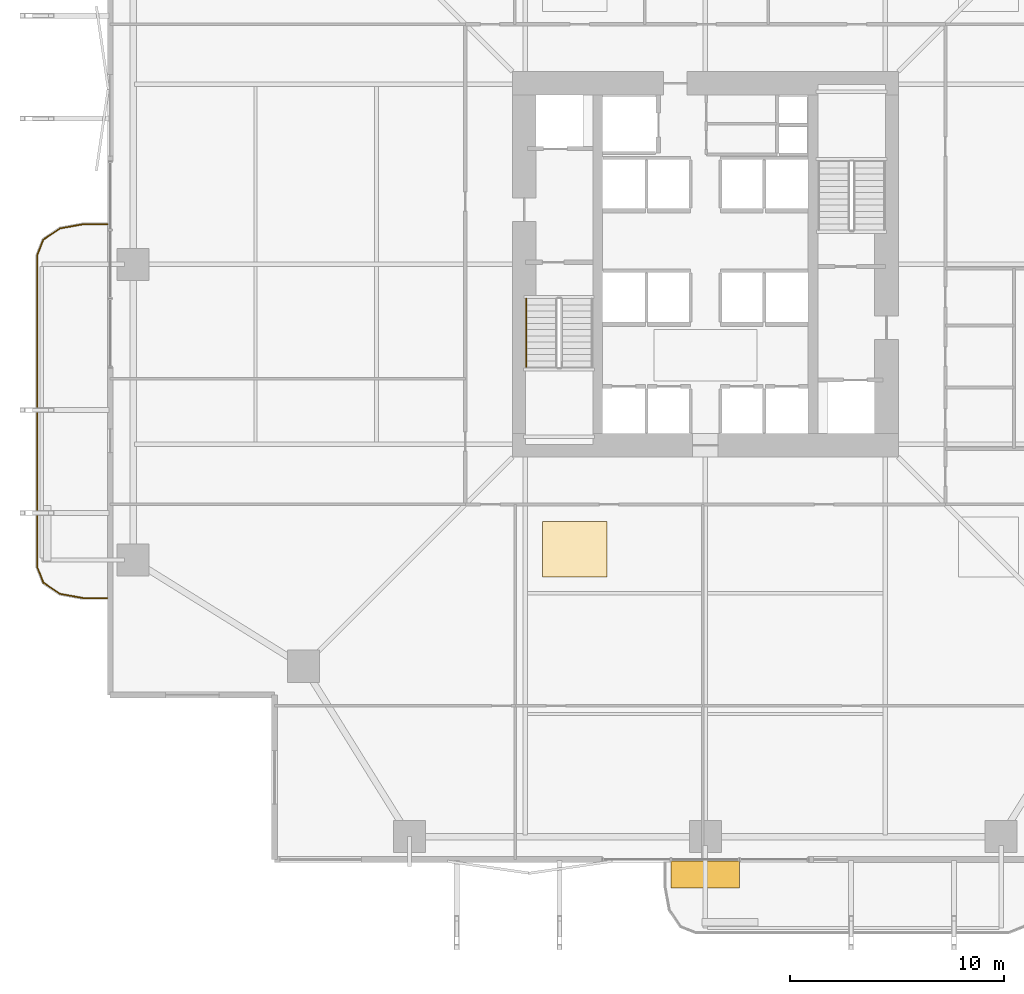
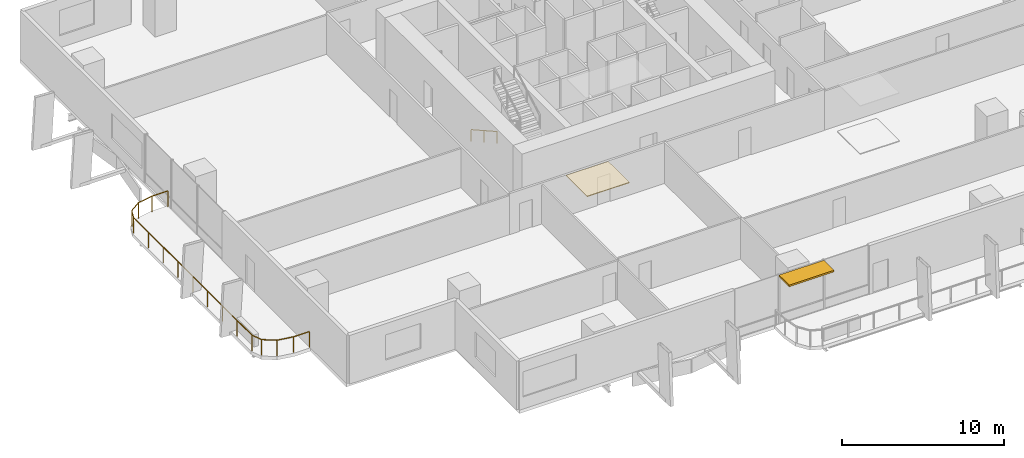
# One storey, part 21 of 24: 2 railings, 1 covering, 1 shading device.
"""IFC4 building model written with IfcOpenShell, lengths in metres."""

import ifcopenshell
import ifcopenshell.guid

model = None  # the IFC model being written
_history = None  # IfcOwnerHistory: only IFC2X3 demands one
_inside = {}  # id of a spatial element -> (the spatial element, [elements in it])
_under = {}  # id of a project, library or spatial element -> (it, [spatial elements below it])
_declared = {}  # id of a project -> (the project, [libraries it declares])
_typed = {}  # id of a type object -> (the type object, [elements of that type])
_made_of = {}  # id of a material, layer set ... -> (it, [elements and type objects made of it])


def new_model(schema):
    """Start an empty IFC model of exactly this schema.

    Asked for "IFC4X3", IfcOpenShell would pick the latest addendum, in which some entities
    have other attributes; the version numbers below select the first issue.
    IFC2X3 requires an IfcOwnerHistory on every rooted entity: one is made here for all.
    """
    global model, _history
    if schema == "IFC4X3":
        model = ifcopenshell.file(schema_version=(4, 3, 0, 0))
    else:
        model = ifcopenshell.file(schema=schema)
    _inside.clear()
    _under.clear()
    _declared.clear()
    _typed.clear()
    _made_of.clear()
    _history = None
    if model.schema == "IFC2X3":
        org = make("IfcOrganization", Name="unknown")
        user = make(
            "IfcPersonAndOrganization",
            ThePerson=make("IfcPerson", FamilyName="unknown"),
            TheOrganization=org,
        )
        app = make(
            "IfcApplication",
            ApplicationDeveloper=org,
            Version="unknown",
            ApplicationFullName="unknown",
            ApplicationIdentifier="unknown",
        )
        _history = make(
            "IfcOwnerHistory",
            OwningUser=user,
            OwningApplication=app,
            ChangeAction="ADDED",
            CreationDate=0,
        )
    return model


def make(cls, **values):
    """One entity of the class cls with the attributes given. An attribute that is None is left unset."""
    return model.create_entity(
        cls, **{name: value for name, value in values.items() if value is not None}
    )


def rooted(cls, **values):
    """An entity with a GlobalId (a new one), such as an element, a storey or a relation."""
    return make(cls, GlobalId=ifcopenshell.guid.new(), OwnerHistory=_history, **values)


def si_unit(unit_type, name, prefix=None):
    """IfcSIUnit, for example si_unit("LENGTHUNIT", "METRE", prefix="MILLI")."""
    return make("IfcSIUnit", UnitType=unit_type, Prefix=prefix, Name=name)


def assignment(units):
    """IfcUnitAssignment: the units of a project."""
    return None if units is None else make("IfcUnitAssignment", Units=units)


def point(xyz):
    """IfcCartesianPoint."""
    return None if xyz is None else make("IfcCartesianPoint", Coordinates=xyz)


def direction(xyz):
    """IfcDirection."""
    return None if xyz is None else make("IfcDirection", DirectionRatios=xyz)


def frame(location, z_axis=None, x_axis=None):
    """IfcAxis2Placement3D, a coordinate frame: its origin and axes. An axis left out is left unset."""
    return make(
        "IfcAxis2Placement3D",
        Location=point(location),
        Axis=direction(z_axis),
        RefDirection=direction(x_axis),
    )


def frame_2d(location, x_axis=None):
    """IfcAxis2Placement2D, a coordinate frame in the plane: its origin and x axis."""
    return make(
        "IfcAxis2Placement2D", Location=point(location), RefDirection=direction(x_axis)
    )


def origin():
    """The frame at (0, 0, 0) with its axes left unset."""
    return frame((0.0, 0.0, 0.0))


def origin_2d():
    """The frame at (0, 0) in the plane with its x axis left unset."""
    return frame_2d((0.0, 0.0))


def place(relative_to, where):
    """IfcLocalPlacement: puts the frame where relative to a parent placement (None: the world)."""
    return make(
        "IfcLocalPlacement", PlacementRelTo=relative_to, RelativePlacement=where
    )


def context(
    kind, dimensions, precision=None, world=None, true_north=None, identifier=None
):
    """IfcGeometricRepresentationContext, for example the 3D "Model" context."""
    return make(
        "IfcGeometricRepresentationContext",
        ContextIdentifier=identifier,
        ContextType=kind,
        CoordinateSpaceDimension=dimensions,
        Precision=precision,
        WorldCoordinateSystem=world,
        TrueNorth=true_north,
    )


def subcontext(parent, identifier, kind, view, scale=None):
    """IfcGeometricRepresentationSubContext, for example "Body" below "Model"."""
    return make(
        "IfcGeometricRepresentationSubContext",
        ContextIdentifier=identifier,
        ContextType=kind,
        ParentContext=parent,
        TargetScale=scale,
        TargetView=view,
    )


def project(units=None, contexts=None):
    """IfcProject with its units and contexts."""
    return rooted(
        "IfcProject",
        Name="project",
        RepresentationContexts=contexts,
        UnitsInContext=assignment(units),
    )


def spatial(cls, under=None, at=None, **own):
    """A site, building, storey or space (cls), placed at a placement, below another one or the project."""
    s = rooted(cls, ObjectPlacement=at, **own)
    if under is not None:
        _under.setdefault(under.id(), (under, []))[1].append(s)
    return s


def polyline(points):
    """IfcPolyline through the points."""
    return make("IfcPolyline", Points=[point(p) for p in points])


def profile(cls, at=None, kind="AREA", **sizes):
    """A parametric profile (cls). Its sizes go by their IFC names, for example OverallWidth=200.0."""
    return make(cls, ProfileType=kind, Position=at, **sizes)


def rectangle(**sizes):
    """IfcRectangleProfileDef."""
    return profile("IfcRectangleProfileDef", **sizes)


def outline(outer, holes=None, kind="AREA"):
    """IfcArbitraryClosedProfileDef: a profile drawn as a closed curve; with holes, ...WithVoids."""
    if holes is None:
        return make("IfcArbitraryClosedProfileDef", ProfileType=kind, OuterCurve=outer)
    return make(
        "IfcArbitraryProfileDefWithVoids",
        ProfileType=kind,
        OuterCurve=outer,
        InnerCurves=holes,
    )


def extrude(swept, where, along, depth):
    """IfcExtrudedAreaSolid: the profile swept, set in the frame where, extruded along a direction by depth."""
    return make(
        "IfcExtrudedAreaSolid",
        SweptArea=swept,
        Position=where,
        ExtrudedDirection=direction(along),
        Depth=depth,
    )


def shape(context_of_items, identifier, shape_type, items):
    """IfcShapeRepresentation: the items that make up one representation, for example the "Body"."""
    return make(
        "IfcShapeRepresentation",
        ContextOfItems=context_of_items,
        RepresentationIdentifier=identifier,
        RepresentationType=shape_type,
        Items=items,
    )


def material(Name=None, Category=None):
    """IfcMaterial."""
    return make("IfcMaterial", Name=Name, Category=Category)


def layer(
    of_material, thickness, ventilated=None, Name=None, Category=None, Priority=None
):
    """IfcMaterialLayer: one layer of a wall or slab, of a material (None: an air gap)."""
    return make(
        "IfcMaterialLayer",
        Material=of_material,
        LayerThickness=thickness,
        IsVentilated=ventilated,
        Name=Name,
        Category=Category,
        Priority=Priority,
    )


def layer_set(layers, Name=None):
    """IfcMaterialLayerSet."""
    return make("IfcMaterialLayerSet", MaterialLayers=layers, LayerSetName=Name)


def made_of(thing, what):
    """Note that an element or type object is made of a material, layer set ...; save() writes the relation."""
    if what is not None:
        _made_of.setdefault(what.id(), (what, []))[1].append(thing)
    return thing


def type_object(cls, material=None, **own):
    """A type object (cls), such as IfcWallType, which elements share."""
    return made_of(rooted(cls, **own), material)


def element(
    cls,
    number,
    at=None,
    inside=None,
    cuts=None,
    type_object=None,
    material=None,
    context=None,
    identifier="Body",
    shape_type=None,
    held_by="IfcProductDefinitionShape",
    body=None,
    shapes=None,
    **own,
):
    """One element of the class cls, such as IfcWall. Its Tag is "e" and its number.

    at: its placement. inside: the storey or other place that contains it. cuts: it is an
    opening in that element (IfcRelVoidsElement). A single representation is given by context,
    identifier, shape_type and body (its items); several are given by shapes. held_by: the class
    of the entity that holds the representations. save() writes the other relations.
    """
    e = rooted(cls, Tag="e%d" % number, ObjectPlacement=at, **own)
    if body is not None:
        shapes = [shape(context, identifier, shape_type, body)]
    if shapes is not None:
        e.Representation = make(held_by, Representations=shapes)
    if inside is not None:
        _inside.setdefault(inside.id(), (inside, []))[1].append(e)
    if cuts is not None:
        rooted(
            "IfcRelVoidsElement", RelatingBuildingElement=cuts, RelatedOpeningElement=e
        )
    if type_object is not None:
        _typed.setdefault(type_object.id(), (type_object, []))[1].append(e)
    return made_of(e, material)


def aggregate(whole, parts):
    """IfcRelAggregates: a whole, such as a stair, and the parts it consists of."""
    return rooted("IfcRelAggregates", RelatingObject=whole, RelatedObjects=parts)


def save(model, path):
    """Write the relations noted so far, then the file.

    IfcRelAggregates (storeys below a building ...), IfcRelContainedInSpatialStructure (elements
    in a storey), IfcRelDefinesByType, IfcRelAssociatesMaterial and IfcRelDeclares: one each for
    every whole, place, type object, material and project.
    """
    for whole, parts in _under.values():
        aggregate(whole, parts)
    for where, things in _inside.values():
        rooted(
            "IfcRelContainedInSpatialStructure",
            RelatedElements=things,
            RelatingStructure=where,
        )
    for kind, things in _typed.values():
        rooted("IfcRelDefinesByType", RelatedObjects=things, RelatingType=kind)
    for what, things in _made_of.values():
        rooted("IfcRelAssociatesMaterial", RelatedObjects=things, RelatingMaterial=what)
    for by, libraries in _declared.values():
        rooted("IfcRelDeclares", RelatingContext=by, RelatedDefinitions=libraries)
    model.write(path)


model = new_model("IFC4")

# Units and contexts
model_context = context("Model", 3, precision=1e-05, world=origin(), true_north=direction((0.0, 1.0)))
body_context = subcontext(model_context, "Body", "Model", "MODEL_VIEW")
ifc_project = project(units=[si_unit("LENGTHUNIT", "METRE"), si_unit("AREAUNIT", "SQUARE_METRE"), si_unit("VOLUMEUNIT", "CUBIC_METRE"), si_unit("PLANEANGLEUNIT", "RADIAN"), si_unit("MASSUNIT", "GRAM", prefix="KILO")], contexts=[model_context])

# Site, building, storey
site_placement = place(None, origin())
site = spatial("IfcSite", under=ifc_project, at=site_placement, CompositionType="ELEMENT")
building_placement = place(site_placement, origin())
building = spatial("IfcBuilding", under=site, at=building_placement, Name="Belovzor Exchange Tower", CompositionType="ELEMENT")
storey_placement = place(building_placement, frame((0.0, 0.0, 33.89990234375)))
storey = spatial("IfcBuildingStorey", under=building, at=storey_placement, Name="L07", CompositionType="ELEMENT", Elevation=33.89990234375)

# Railings
ifc_material_1 = material(Name="Stainless Steel Grade 304", Category="steel")
railing_type_1 = type_object("IfcRailingType", Name="Brushed Stainless Steel Stair Handrail 900", PredefinedType="HANDRAIL", material=ifc_material_1)
railing_1_placement = place(storey_placement, frame((20.449951171875, 27.199951171875, 0.16259765625)))
element("IfcRailing", 1, at=railing_1_placement, inside=storey, type_object=railing_type_1, Name="L07 ST-1 stair handrail 1", PredefinedType="HANDRAIL", context=body_context, shape_type="SweptSolid", body=[
    extrude(rectangle(XDim=0.048095703125, YDim=0.048095703125, at=origin_2d()), frame((0.0, 0.0, 0.8759765625), z_axis=(0.0, -0.8723625253, 0.488859514025), x_axis=(1.0, 0.0, 0.0)), (0.0, 0.0, 1.0), 3.65673828125),
    extrude(rectangle(XDim=0.0419921875, YDim=0.0419921875, at=origin_2d()), origin(), (0.0, 0.0, 1.0), 0.851806640625),
    extrude(rectangle(XDim=0.0419921875, YDim=0.0419921875, at=origin_2d()), frame((0.0, -1.594970703125, 0.893798828125)), (0.0, 0.0, 1.0), 0.851806640625),
    extrude(rectangle(XDim=0.0419921875, YDim=0.0419921875, at=origin_2d()), frame((0.0, -3.18994140625, 1.78759765625)), (0.0, 0.0, 1.0), 0.851806640625),
])
ifc_material_2 = material(Name="Stainless Steel and Laminated Safety Glass", Category="steel")
railing_type_2 = type_object("IfcRailingType", Name="Laminated Glass & Stainless Steel Balcony Balustrade 1200", PredefinedType="BALUSTRADE", material=ifc_material_2)
railing_2_placement = place(storey_placement, frame((0.889892578125, 30.669921875, 0.0)))
element("IfcRailing", 2, at=railing_2_placement, inside=storey, type_object=railing_type_2, Name="GR-1 Balcony Balustrade L07 West", PredefinedType="BALUSTRADE", context=body_context, shape_type="SweptSolid", body=[
    extrude(rectangle(XDim=0.048095703125, YDim=0.048095703125, at=origin_2d()), frame((0.0, 0.0, 1.17578125), z_axis=(-1.0, 0.0, 0.0), x_axis=(0.0, -1.0, 0.0)), (0.0, 0.0, 1.0), 1.1328125),
    extrude(rectangle(XDim=0.048095703125, YDim=0.048095703125, at=origin_2d()), frame((-1.1328125, 0.0, 1.17578125), z_axis=(-0.983651385113, -0.180083182347, 0.0), x_axis=(0.180083182347, -0.983651385113, 0.0)), (0.0, 0.0, 1.0), 1.093994140625),
    extrude(rectangle(XDim=0.048095703125, YDim=0.048095703125, at=origin_2d()), frame((-2.208984375, -0.197021484375, 1.17578125), z_axis=(-0.826614792125, -0.562768145367, 0.0), x_axis=(0.562768145367, -0.826614792125, 0.0)), (0.0, 0.0, 1.0), 0.9326171875),
    extrude(rectangle(XDim=0.048095703125, YDim=0.048095703125, at=origin_2d()), frame((-2.97998046875, -0.721923828125, 1.17578125), z_axis=(-0.365612923861, -0.930766990125, 0.0), x_axis=(0.930766990125, -0.365612923861, 0.0)), (0.0, 0.0, 1.0), 0.765869140625),
    extrude(rectangle(XDim=0.048095703125, YDim=0.048095703125, at=origin_2d()), frame((-3.260009765625, -1.434814453125, 1.17578125), z_axis=(0.0, -1.0, 0.0), x_axis=(1.0, 0.0, 0.0)), (0.0, 0.0, 1.0), 14.570068359375),
    extrude(rectangle(XDim=0.048095703125, YDim=0.048095703125, at=origin_2d()), frame((-3.260009765625, -16.0048828125, 1.17578125), z_axis=(0.365504480807, -0.930809580156, 0.0), x_axis=(0.930809580156, 0.365504480807, 0.0)), (0.0, 0.0, 1.0), 0.76611328125),
    extrude(rectangle(XDim=0.048095703125, YDim=0.048095703125, at=origin_2d()), frame((-2.97998046875, -16.718017578125, 1.17578125), z_axis=(0.826614792125, -0.562768145367, 0.0), x_axis=(0.562768145367, 0.826614792125, 0.0)), (0.0, 0.0, 1.0), 0.9326171875),
    extrude(rectangle(XDim=0.048095703125, YDim=0.048095703125, at=origin_2d()), frame((-2.208984375, -17.242919921875, 1.17578125), z_axis=(0.983651385113, -0.180083182347, 0.0), x_axis=(0.180083182347, 0.983651385113, 0.0)), (0.0, 0.0, 1.0), 1.093994140625),
    extrude(rectangle(XDim=0.048095703125, YDim=0.048095703125, at=origin_2d()), frame((-1.1328125, -17.43994140625, 1.17578125), z_axis=(1.0, 0.0, 0.0), x_axis=(0.0, 1.0, 0.0)), (0.0, 0.0, 1.0), 1.1328125),
    extrude(rectangle(XDim=0.0419921875, YDim=0.0419921875, at=origin_2d()), origin(), (0.0, 0.0, 1.0), 1.15185546875),
    extrude(rectangle(XDim=0.0419921875, YDim=0.0419921875, at=origin_2d()), frame((-1.1328125, 0.0, 0.0)), (0.0, 0.0, 1.0), 1.15185546875),
    extrude(rectangle(XDim=0.0419921875, YDim=0.0419921875, at=origin_2d()), frame((-2.208984375, -0.197021484375, 0.0)), (0.0, 0.0, 1.0), 1.15185546875),
    extrude(rectangle(XDim=0.0419921875, YDim=0.0419921875, at=origin_2d()), frame((-2.97998046875, -0.721923828125, 0.0)), (0.0, 0.0, 1.0), 1.15185546875),
    extrude(rectangle(XDim=0.0419921875, YDim=0.0419921875, at=origin_2d()), frame((-3.260009765625, -1.434814453125, 0.0)), (0.0, 0.0, 1.0), 1.15185546875),
    extrude(rectangle(XDim=0.0419921875, YDim=0.0419921875, at=origin_2d()), frame((-3.260009765625, -3.256103515625, 0.0)), (0.0, 0.0, 1.0), 1.15185546875),
    extrude(rectangle(XDim=0.0419921875, YDim=0.0419921875, at=origin_2d()), frame((-3.260009765625, -5.077392578125, 0.0)), (0.0, 0.0, 1.0), 1.15185546875),
    extrude(rectangle(XDim=0.0419921875, YDim=0.0419921875, at=origin_2d()), frame((-3.260009765625, -6.898681640625, 0.0)), (0.0, 0.0, 1.0), 1.15185546875),
    extrude(rectangle(XDim=0.0419921875, YDim=0.0419921875, at=origin_2d()), frame((-3.260009765625, -8.7197265625, 0.0)), (0.0, 0.0, 1.0), 1.15185546875),
    extrude(rectangle(XDim=0.0419921875, YDim=0.0419921875, at=origin_2d()), frame((-3.260009765625, -10.541015625, 0.0)), (0.0, 0.0, 1.0), 1.15185546875),
    extrude(rectangle(XDim=0.0419921875, YDim=0.0419921875, at=origin_2d()), frame((-3.260009765625, -12.3623046875, 0.0)), (0.0, 0.0, 1.0), 1.15185546875),
    extrude(rectangle(XDim=0.0419921875, YDim=0.0419921875, at=origin_2d()), frame((-3.260009765625, -14.18359375, 0.0)), (0.0, 0.0, 1.0), 1.15185546875),
    extrude(rectangle(XDim=0.0419921875, YDim=0.0419921875, at=origin_2d()), frame((-3.260009765625, -16.0048828125, 0.0)), (0.0, 0.0, 1.0), 1.15185546875),
    extrude(rectangle(XDim=0.0419921875, YDim=0.0419921875, at=origin_2d()), frame((-2.97998046875, -16.718017578125, 0.0)), (0.0, 0.0, 1.0), 1.15185546875),
    extrude(rectangle(XDim=0.0419921875, YDim=0.0419921875, at=origin_2d()), frame((-2.208984375, -17.242919921875, 0.0)), (0.0, 0.0, 1.0), 1.15185546875),
    extrude(rectangle(XDim=0.0419921875, YDim=0.0419921875, at=origin_2d()), frame((-1.1328125, -17.43994140625, 0.0)), (0.0, 0.0, 1.0), 1.15185546875),
    extrude(rectangle(XDim=0.0419921875, YDim=0.0419921875, at=origin_2d()), frame((0.0, -17.43994140625, 0.0)), (0.0, 0.0, 1.0), 1.15185546875),
])

# Covering
ifc_material_3 = material(Name="Perforated Powder-Coated Aluminium", Category="aluminium")
ifc_layer_1 = layer(ifc_material_3, 0.06005859375)
ifc_layer_set_1 = layer_set([ifc_layer_1], Name="Perforated Powder-Coated Aluminium")
covering_type = type_object("IfcCoveringType", Name="Perforated Acoustic Metal Tile Suspended Ceiling 60", PredefinedType="CEILING", material=ifc_layer_set_1)
covering_placement = place(storey_placement, frame((0.0, 0.0, 3.590087890625)))
element("IfcCovering", 3, at=covering_placement, inside=storey, type_object=covering_type, Name="CLG-AC60 Suspended Ceiling CLG-L07-Z0", PredefinedType="CEILING", context=body_context, shape_type="SweptSolid", body=[
    extrude(outline(polyline([(21.199951171875, 14.199951171875), (24.199951171875, 14.199951171875), (24.199951171875, 16.800048828125), (21.199951171875, 16.800048828125), (21.199951171875, 14.199951171875)])), origin(), (0.0, 0.0, 1.0), 0.06005859375),
])

# Shading device
ifc_material_4 = material(Name="Extruded Architectural Terracotta", Category="masonry")
ifc_layer_2 = layer(ifc_material_4, 0.1201171875)
ifc_layer_set_2 = layer_set([ifc_layer_2], Name="Extruded Architectural Terracotta")
shading_device_type = type_object("IfcShadingDeviceType", Name="Streamline Terracotta Horizontal Sunshade Hood 1250", PredefinedType="AWNING", material=ifc_layer_set_2)
shading_device_placement = place(storey_placement, frame((28.800048828125, 0.3349609375, 3.530029296875), z_axis=(0.0, 0.0, 1.0), x_axis=(1.0, 0.0, 0.0)))
element("IfcShadingDevice", 4, at=shading_device_placement, inside=storey, type_object=shading_device_type, Name="SHD-TC125 Terracotta Sunshade L07 S", PredefinedType="AWNING", context=body_context, shape_type="SweptSolid", body=[
    extrude(rectangle(XDim=3.199951171875, YDim=1.25, at=origin_2d()), origin(), (0.0, 0.0, 1.0), 0.1201171875),
])

save(model, "model.ifc")
